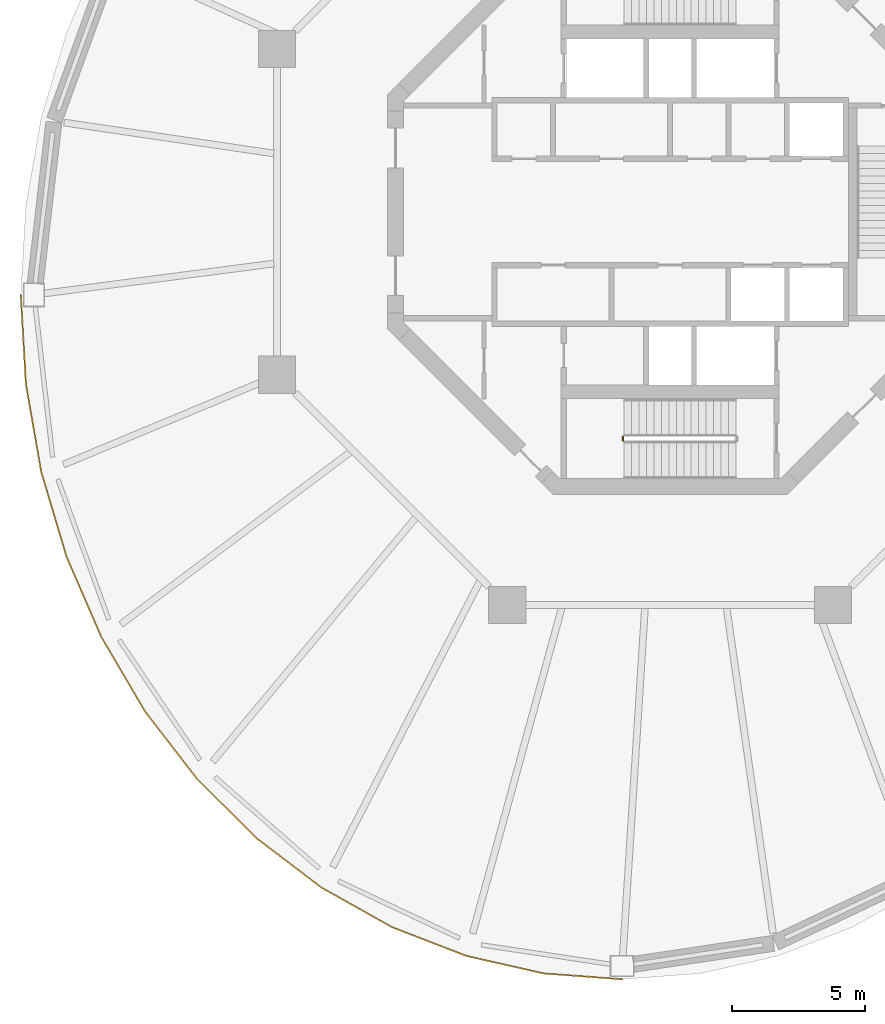
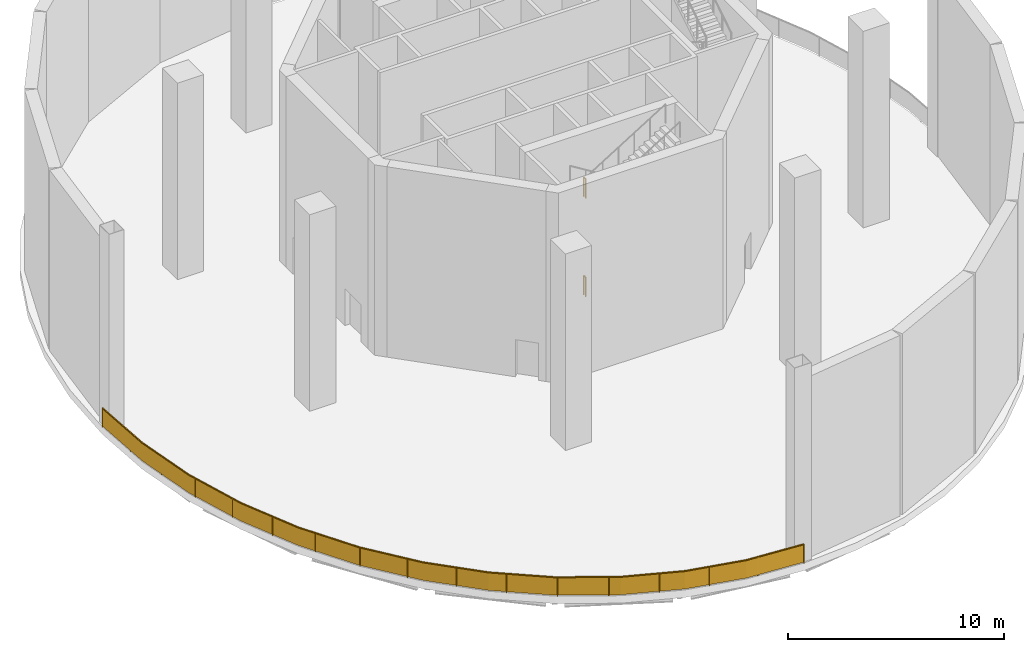
# One storey, part 5 of 7: 3 railings.
"""IFC4 building model written with IfcOpenShell, lengths in metres."""

from ifc_helpers import new_model, si_unit, direction, frame, origin, origin_2d, place, context, subcontext, project, spatial, polyline, rectangle, circle, outline, extrude, material, type_object, element, save


model = new_model("IFC4")

# Units and contexts
model_context = context("Model", 3, precision=1e-05, world=origin(), true_north=direction((0.0, 1.0)))
body_context = subcontext(model_context, "Body", "Model", "MODEL_VIEW")
ifc_project = project(units=[si_unit("LENGTHUNIT", "METRE"), si_unit("AREAUNIT", "SQUARE_METRE"), si_unit("VOLUMEUNIT", "CUBIC_METRE"), si_unit("PLANEANGLEUNIT", "RADIAN"), si_unit("MASSUNIT", "GRAM", prefix="KILO")], contexts=[model_context])

# Site, building, storey
site_placement = place(None, origin())
site = spatial("IfcSite", under=ifc_project, at=site_placement, CompositionType="ELEMENT")
building_placement = place(site_placement, origin())
building = spatial("IfcBuilding", under=site, at=building_placement, Name="Nagisa Residences", CompositionType="ELEMENT")
storey_placement = place(building_placement, frame((0.0, 0.0, 299.199951171875)))
storey = spatial("IfcBuildingStorey", under=building, at=storey_placement, Name="L76", CompositionType="ELEMENT", Elevation=299.199951171875)

# Railings
ifc_material_1 = material(Name="Stainless steel 316", Category="steel")
railing_type_1 = type_object("IfcRailingType", Name="ROOF GUARD 1100", PredefinedType="GUARDRAIL", material=ifc_material_1)
railing_placement = place(storey_placement, frame((-24.419921875, -3.11767578125, 0.0)))
element("IfcRailing", 1, at=railing_placement, inside=storey, type_object=railing_type_1, Name="guard:L76:deck01", PredefinedType="GUARDRAIL", context=body_context, shape_type="SweptSolid", body=[
    extrude(outline(polyline([(0.21826171875, -3.35693359375), (0.02490234375, 0.00146484375), (-0.02490234375, -0.00146484375), (0.16845703125, -3.36279296875), (0.746337890625, -6.66796875), (1.6982421875, -9.85888671875), (3.008056640625, -12.881591796875), (4.653564453125, -15.683349609375), (6.6064453125, -18.217529296875), (8.833251953125, -20.439697265625), (11.296142578125, -22.3125), (13.952880859375, -23.803466796875), (16.758056640625, -24.886962890625), (19.663818359375, -25.544677734375), (22.617919921875, -25.764892578125), (22.621826171875, -25.715087890625), (19.671142578125, -25.494873046875), (16.772705078125, -24.839111328125), (13.974365234375, -23.758056640625), (11.323486328125, -22.2705078125), (8.866455078125, -20.402099609375), (6.64404296875, -18.184326171875), (4.695068359375, -15.655517578125), (3.052978515625, -12.858642578125), (1.7451171875, -9.841796875), (0.795166015625, -6.65625), (0.21826171875, -3.35693359375)])), frame((0.0, 0.0, 1.050048828125)), (0.0, 0.0, 1.0), 0.050048828125),
    extrude(outline(polyline([(0.200439453125, -3.359130859375), (0.007080078125, 0.00048828125), (-0.007080078125, -0.00048828125), (0.186279296875, -3.360595703125), (0.763916015625, -6.663818359375), (1.715087890625, -9.852783203125), (3.024169921875, -12.873291015625), (4.66845703125, -15.67333984375), (6.619873046875, -18.20556640625), (8.84521484375, -20.42626953125), (11.305908203125, -22.29736328125), (13.960693359375, -23.787109375), (16.763427734375, -24.869873046875), (19.66650390625, -25.526611328125), (22.619384765625, -25.7470703125), (22.620361328125, -25.73291015625), (19.66845703125, -25.512939453125), (16.767333984375, -24.856201171875), (13.966552734375, -23.7744140625), (11.313720703125, -22.28564453125), (8.8544921875, -20.41552734375), (6.630615234375, -18.1962890625), (4.68017578125, -15.66552734375), (3.036865234375, -12.866943359375), (1.728271484375, -9.847900390625), (0.777587890625, -6.660400390625), (0.200439453125, -3.359130859375)])), frame((0.0, 0.0, 0.06005859375)), (0.0, 0.0, 1.0), 0.989990234375),
    extrude(rectangle(XDim=0.0400390625, YDim=0.0400390625, at=origin_2d()), origin(), (0.0, 0.0, 1.0), 1.050048828125),
    extrude(rectangle(XDim=0.0400390625, YDim=0.0400390625, at=origin_2d()), frame((0.136474609375, -2.37060546875, 0.0)), (0.0, 0.0, 1.0), 1.050048828125),
    extrude(rectangle(XDim=0.0400390625, YDim=0.0400390625, at=origin_2d()), frame((0.431640625, -4.72314453125, 0.0)), (0.0, 0.0, 1.0), 1.050048828125),
    extrude(rectangle(XDim=0.0400390625, YDim=0.0400390625, at=origin_2d()), frame((0.88671875, -7.05126953125, 0.0)), (0.0, 0.0, 1.0), 1.050048828125),
    extrude(rectangle(XDim=0.0400390625, YDim=0.0400390625, at=origin_2d()), frame((1.565673828125, -9.326904296875, 0.0)), (0.0, 0.0, 1.0), 1.050048828125),
    extrude(rectangle(XDim=0.0400390625, YDim=0.0400390625, at=origin_2d()), frame((2.44873046875, -11.52783203125, 0.0)), (0.0, 0.0, 1.0), 1.050048828125),
    extrude(rectangle(XDim=0.0400390625, YDim=0.0400390625, at=origin_2d()), frame((3.4921875, -13.656494140625, 0.0)), (0.0, 0.0, 1.0), 1.050048828125),
    extrude(rectangle(XDim=0.0400390625, YDim=0.0400390625, at=origin_2d()), frame((4.698974609375, -15.701171875, 0.0)), (0.0, 0.0, 1.0), 1.050048828125),
    extrude(rectangle(XDim=0.0400390625, YDim=0.0400390625, at=origin_2d()), frame((6.1484375, -17.582275390625, 0.0)), (0.0, 0.0, 1.0), 1.050048828125),
    extrude(rectangle(XDim=0.0400390625, YDim=0.0400390625, at=origin_2d()), frame((7.753173828125, -19.326416015625, 0.0)), (0.0, 0.0, 1.0), 1.050048828125),
    extrude(rectangle(XDim=0.0400390625, YDim=0.0400390625, at=origin_2d()), frame((9.5068359375, -20.92041015625, 0.0)), (0.0, 0.0, 1.0), 1.050048828125),
    extrude(rectangle(XDim=0.0400390625, YDim=0.0400390625, at=origin_2d()), frame((11.4052734375, -22.34521484375, 0.0)), (0.0, 0.0, 1.0), 1.050048828125),
    extrude(rectangle(XDim=0.0400390625, YDim=0.0400390625, at=origin_2d()), frame((13.47607421875, -23.50732421875, 0.0)), (0.0, 0.0, 1.0), 1.050048828125),
    extrude(rectangle(XDim=0.0400390625, YDim=0.0400390625, at=origin_2d()), frame((15.6572265625, -24.43505859375, 0.0)), (0.0, 0.0, 1.0), 1.050048828125),
    extrude(rectangle(XDim=0.0400390625, YDim=0.0400390625, at=origin_2d()), frame((17.9228515625, -25.125, 0.0)), (0.0, 0.0, 1.0), 1.050048828125),
    extrude(rectangle(XDim=0.0400390625, YDim=0.0400390625, at=origin_2d()), frame((20.251708984375, -25.5634765625, 0.0)), (0.0, 0.0, 1.0), 1.050048828125),
    extrude(rectangle(XDim=0.0400390625, YDim=0.0400390625, at=origin_2d()), frame((22.619873046875, -25.739990234375, 0.0)), (0.0, 0.0, 1.0), 1.050048828125),
])
ifc_material_2 = material(Name="Stainless steel", Category="steel")
railing_type_2 = type_object("IfcRailingType", Name="Stair guard 1100", PredefinedType="GUARDRAIL", material=ifc_material_2)
for number, where, name in (
    (2, (-1.77490234375, -8.44970703125, 2.775146484375), "L76 ST-S stair guard 2"),
    (3, (-1.77490234375, -8.44970703125, 8.324951171875), "L76 ST-S stair guard 6"),
):
    element("IfcRailing", number, at=place(storey_placement, frame(where)), inside=storey, type_object=railing_type_2, Name=name, PredefinedType="GUARDRAIL", context=body_context, shape_type="SweptSolid", body=[
        extrude(circle(Radius=0.02392578125, at=origin_2d()), frame((0.0, 0.0, 1.076171875), z_axis=(0.0, -1.0, 0.0), x_axis=(1.0, 0.0, 0.0)), (0.0, 0.0, 1.0), 0.14990234375),
        extrude(circle(Radius=0.02099609375, at=origin_2d()), origin(), (0.0, 0.0, 1.0), 1.052001953125),
        extrude(circle(Radius=0.02099609375, at=origin_2d()), frame((0.0, -0.14990234375, 0.0)), (0.0, 0.0, 1.0), 1.052001953125),
    ])

save(model, "model.ifc")
